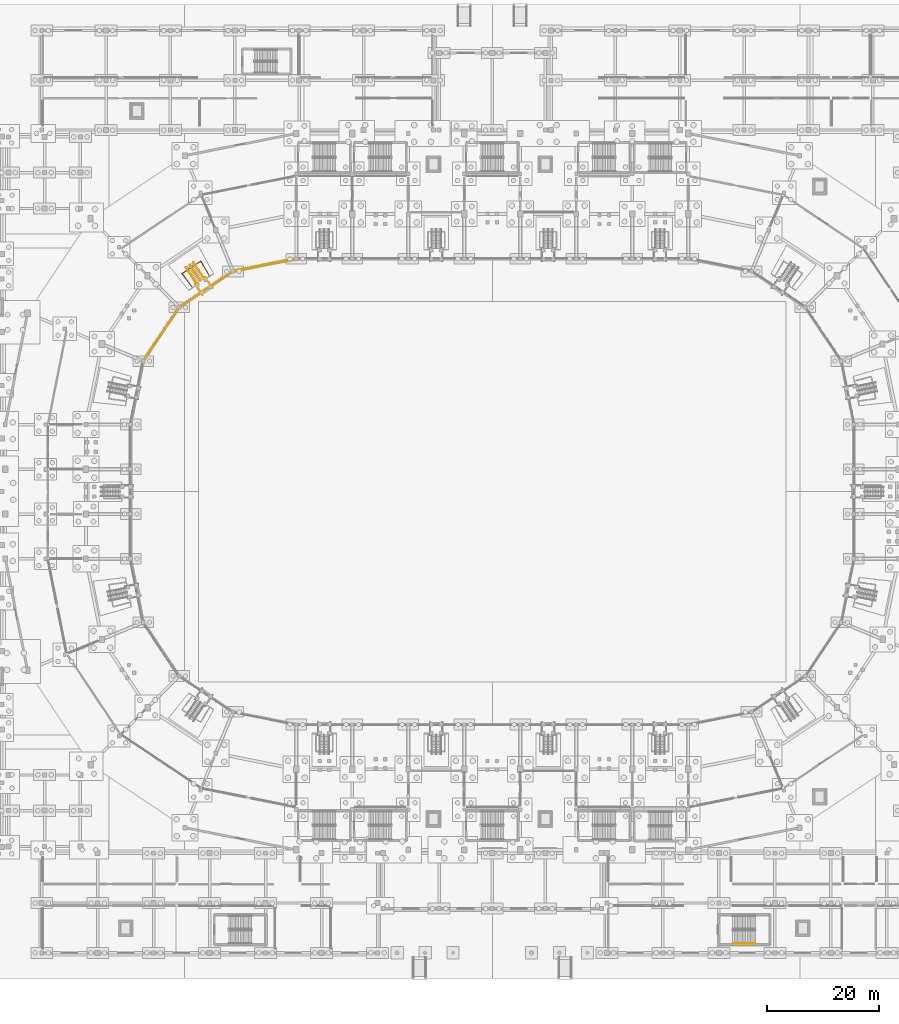
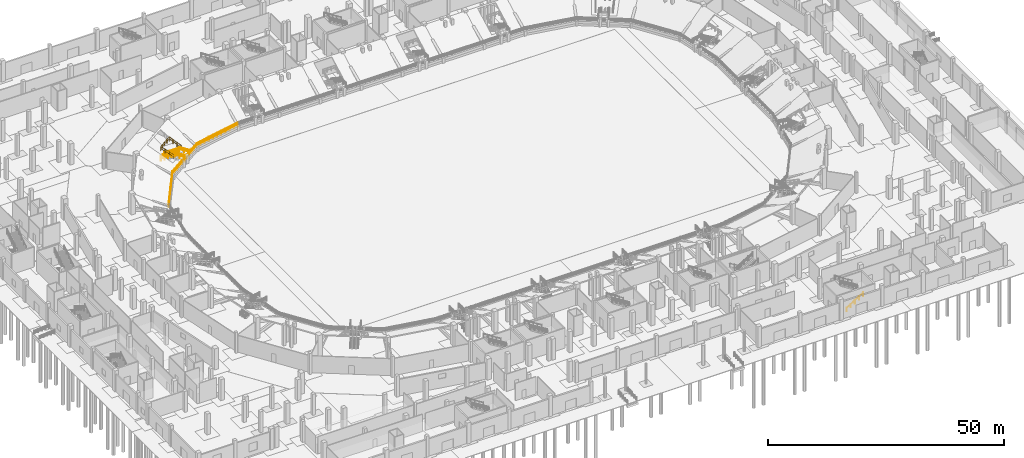
# One storey, part 55 of 68: 8 railings.
"""IFC4 building model written with IfcOpenShell, lengths in metres."""

from ifc_helpers import new_model, si_unit, direction, frame, origin, origin_2d, place, context, subcontext, project, spatial, circle, extrude, material, layer, layer_set, type_object, element, save


model = new_model("IFC4")

# Units and contexts
model_context = context("Model", 3, precision=1e-05, world=origin(), true_north=direction((0.0, 1.0)))
body_context = subcontext(model_context, "Body", "Model", "MODEL_VIEW")
ifc_project = project(units=[si_unit("LENGTHUNIT", "METRE"), si_unit("AREAUNIT", "SQUARE_METRE"), si_unit("VOLUMEUNIT", "CUBIC_METRE"), si_unit("PLANEANGLEUNIT", "RADIAN"), si_unit("MASSUNIT", "GRAM", prefix="KILO")], contexts=[model_context])

# Site, building, storey
site_placement = place(None, origin())
site = spatial("IfcSite", under=ifc_project, at=site_placement, CompositionType="ELEMENT")
building_placement = place(site_placement, origin())
building = spatial("IfcBuilding", under=site, at=building_placement, Name="Candeia Ridge Stadium", CompositionType="ELEMENT")
storey_placement = place(building_placement, origin())
storey = spatial("IfcBuildingStorey", under=building, at=storey_placement, Name="L00", CompositionType="ELEMENT", Elevation=0.0)

# Railings
ifc_material_1 = material(Name="Galvanized Powder-Coated Steel", Category="steel")
ifc_layer_1 = layer(ifc_material_1, 0.074951171875, Name="Galvanized Powder-Coated Steel", Category="steel")
ifc_layer_set_1 = layer_set([ifc_layer_1], Name="Galvanized Powder-Coated Steel")
railing_type_1 = type_object("IfcRailingType", Name="Spectator Bowl Front Guardrail 1120", PredefinedType="GUARDRAIL", material=ifc_layer_set_1)
railing_1_placement = place(storey_placement, frame((71.0, 124.719970703125, 0.85009765625)))
element("IfcRailing", 1, at=railing_1_placement, inside=storey, type_object=railing_type_1, Name="Stand T1 front safety guardrail bay 08", PredefinedType="GUARDRAIL", context=body_context, shape_type="SweptSolid", body=[
    extrude(circle(Radius=0.02392578125, at=origin_2d()), frame((0.0, 0.0, 1.09619140625), z_axis=(-0.980786620381, -0.19508358537, 0.0), x_axis=(0.19508358537, -0.980786620381, 0.0)), (0.0, 0.0, 1.0), 11.59619140625),
    extrude(circle(Radius=0.02392578125, at=origin_2d()), frame((0.0, 0.0, 0.56005859375), z_axis=(-0.980786620381, -0.19508358537, 0.0), x_axis=(0.19508358537, -0.980786620381, 0.0)), (0.0, 0.0, 1.0), 11.59619140625),
    extrude(circle(Radius=0.02099609375, at=origin_2d()), origin(), (0.0, 0.0, 1.0), 1.072021484375),
    extrude(circle(Radius=0.02099609375, at=origin_2d()), frame((-1.13720703125, -0.226318359375, 0.0)), (0.0, 0.0, 1.0), 1.072021484375),
    extrude(circle(Radius=0.02099609375, at=origin_2d()), frame((-2.274658203125, -0.452392578125, 0.0)), (0.0, 0.0, 1.0), 1.072021484375),
    extrude(circle(Radius=0.02099609375, at=origin_2d()), frame((-3.412109375, -0.6787109375, 0.0)), (0.0, 0.0, 1.0), 1.072021484375),
    extrude(circle(Radius=0.02099609375, at=origin_2d()), frame((-4.54931640625, -0.90478515625, 0.0)), (0.0, 0.0, 1.0), 1.072021484375),
    extrude(circle(Radius=0.02099609375, at=origin_2d()), frame((-5.6865234375, -1.131103515625, 0.0)), (0.0, 0.0, 1.0), 1.072021484375),
    extrude(circle(Radius=0.02099609375, at=origin_2d()), frame((-6.823974609375, -1.357421875, 0.0)), (0.0, 0.0, 1.0), 1.072021484375),
    extrude(circle(Radius=0.02099609375, at=origin_2d()), frame((-7.961181640625, -1.58349609375, 0.0)), (0.0, 0.0, 1.0), 1.072021484375),
    extrude(circle(Radius=0.02099609375, at=origin_2d()), frame((-9.0986328125, -1.809814453125, 0.0)), (0.0, 0.0, 1.0), 1.072021484375),
    extrude(circle(Radius=0.02099609375, at=origin_2d()), frame((-10.23583984375, -2.035888671875, 0.0)), (0.0, 0.0, 1.0), 1.072021484375),
    extrude(circle(Radius=0.02099609375, at=origin_2d()), frame((-11.373291015625, -2.26220703125, 0.0)), (0.0, 0.0, 1.0), 1.072021484375),
])
railing_2_placement = place(storey_placement, frame((59.626708984375, 122.457763671875, 0.85009765625)))
element("IfcRailing", 2, at=railing_2_placement, inside=storey, type_object=railing_type_1, Name="Stand T1 front safety guardrail bay 09", PredefinedType="GUARDRAIL", context=body_context, shape_type="SweptSolid", body=[
    extrude(circle(Radius=0.02392578125, at=origin_2d()), frame((0.0, 0.0, 1.09619140625), z_axis=(-0.831463572254, -0.555579272484, 0.0), x_axis=(0.555579272484, -0.831463572254, 0.0)), (0.0, 0.0, 1.0), 11.59619140625),
    extrude(circle(Radius=0.02392578125, at=origin_2d()), frame((0.0, 0.0, 0.56005859375), z_axis=(-0.831463572254, -0.555579272484, 0.0), x_axis=(0.555579272484, -0.831463572254, 0.0)), (0.0, 0.0, 1.0), 11.59619140625),
    extrude(circle(Radius=0.02099609375, at=origin_2d()), origin(), (0.0, 0.0, 1.0), 1.072021484375),
    extrude(circle(Radius=0.02099609375, at=origin_2d()), frame((-0.964111328125, -0.644287109375, 0.0)), (0.0, 0.0, 1.0), 1.072021484375),
    extrude(circle(Radius=0.02099609375, at=origin_2d()), frame((-1.928466796875, -1.28857421875, 0.0)), (0.0, 0.0, 1.0), 1.072021484375),
    extrude(circle(Radius=0.02099609375, at=origin_2d()), frame((-2.892578125, -1.932861328125, 0.0)), (0.0, 0.0, 1.0), 1.072021484375),
    extrude(circle(Radius=0.02099609375, at=origin_2d()), frame((-3.856689453125, -2.5771484375, 0.0)), (0.0, 0.0, 1.0), 1.072021484375),
    extrude(circle(Radius=0.02099609375, at=origin_2d()), frame((-4.82080078125, -3.22119140625, 0.0)), (0.0, 0.0, 1.0), 1.072021484375),
    extrude(circle(Radius=0.02099609375, at=origin_2d()), frame((-5.78515625, -3.865478515625, 0.0)), (0.0, 0.0, 1.0), 1.072021484375),
    extrude(circle(Radius=0.02099609375, at=origin_2d()), frame((-6.749267578125, -4.509765625, 0.0)), (0.0, 0.0, 1.0), 1.072021484375),
    extrude(circle(Radius=0.02099609375, at=origin_2d()), frame((-7.71337890625, -5.154052734375, 0.0)), (0.0, 0.0, 1.0), 1.072021484375),
    extrude(circle(Radius=0.02099609375, at=origin_2d()), frame((-8.677734375, -5.79833984375, 0.0)), (0.0, 0.0, 1.0), 1.072021484375),
    extrude(circle(Radius=0.02099609375, at=origin_2d()), frame((-9.641845703125, -6.442626953125, 0.0)), (0.0, 0.0, 1.0), 1.072021484375),
])
railing_3_placement = place(storey_placement, frame((49.98486328125, 116.01513671875, 0.85009765625)))
element("IfcRailing", 3, at=railing_3_placement, inside=storey, type_object=railing_type_1, Name="Stand T1 front safety guardrail bay 10", PredefinedType="GUARDRAIL", context=body_context, shape_type="SweptSolid", body=[
    extrude(circle(Radius=0.02392578125, at=origin_2d()), frame((0.0, 0.0, 1.09619140625), z_axis=(-0.555579272484, -0.831463572254, 0.0), x_axis=(0.831463572254, -0.555579272484, 0.0)), (0.0, 0.0, 1.0), 11.59619140625),
    extrude(circle(Radius=0.02392578125, at=origin_2d()), frame((0.0, 0.0, 0.56005859375), z_axis=(-0.555579272484, -0.831463572254, 0.0), x_axis=(0.831463572254, -0.555579272484, 0.0)), (0.0, 0.0, 1.0), 11.59619140625),
    extrude(circle(Radius=0.02099609375, at=origin_2d()), origin(), (0.0, 0.0, 1.0), 1.072021484375),
    extrude(circle(Radius=0.02099609375, at=origin_2d()), frame((-0.644287109375, -0.964111328125, 0.0)), (0.0, 0.0, 1.0), 1.072021484375),
    extrude(circle(Radius=0.02099609375, at=origin_2d()), frame((-1.28857421875, -1.928466796875, 0.0)), (0.0, 0.0, 1.0), 1.072021484375),
    extrude(circle(Radius=0.02099609375, at=origin_2d()), frame((-1.932861328125, -2.892578125, 0.0)), (0.0, 0.0, 1.0), 1.072021484375),
    extrude(circle(Radius=0.02099609375, at=origin_2d()), frame((-2.5771484375, -3.856689453125, 0.0)), (0.0, 0.0, 1.0), 1.072021484375),
    extrude(circle(Radius=0.02099609375, at=origin_2d()), frame((-3.22119140625, -4.82080078125, 0.0)), (0.0, 0.0, 1.0), 1.072021484375),
    extrude(circle(Radius=0.02099609375, at=origin_2d()), frame((-3.865478515625, -5.78515625, 0.0)), (0.0, 0.0, 1.0), 1.072021484375),
    extrude(circle(Radius=0.02099609375, at=origin_2d()), frame((-4.509765625, -6.749267578125, 0.0)), (0.0, 0.0, 1.0), 1.072021484375),
    extrude(circle(Radius=0.02099609375, at=origin_2d()), frame((-5.154052734375, -7.71337890625, 0.0)), (0.0, 0.0, 1.0), 1.072021484375),
    extrude(circle(Radius=0.02099609375, at=origin_2d()), frame((-5.79833984375, -8.677734375, 0.0)), (0.0, 0.0, 1.0), 1.072021484375),
    extrude(circle(Radius=0.02099609375, at=origin_2d()), frame((-6.442626953125, -9.641845703125, 0.0)), (0.0, 0.0, 1.0), 1.072021484375),
])
ifc_material_2 = material(Name="Brushed Stainless Steel", Category="steel")
ifc_layer_2 = layer(ifc_material_2, 0.048095703125, Name="Brushed Stainless Steel", Category="steel")
ifc_layer_set_2 = layer_set([ifc_layer_2], Name="Brushed Stainless Steel")
railing_type_2 = type_object("IfcRailingType", Name="Stair Wall & Flight Handrail 900", PredefinedType="HANDRAIL", material=ifc_layer_set_2)
railing_4_placement = place(storey_placement, frame((148.949951171875, 2.25, 0.179931640625)))
element("IfcRailing", 4, at=railing_4_placement, inside=storey, type_object=railing_type_2, Name="L00 ST14 stair handrail 1", PredefinedType="HANDRAIL", context=body_context, shape_type="SweptSolid", body=[
    extrude(circle(Radius=0.02392578125, at=origin_2d()), frame((0.0, 0.0, 0.8759765625), z_axis=(0.849641744969, 0.0, 0.527360318194), x_axis=(0.0, 1.0, 0.0)), (0.0, 0.0, 1.0), 4.778564453125),
    extrude(circle(Radius=0.02099609375, at=origin_2d()), origin(), (0.0, 0.0, 1.0), 0.851806640625),
    extrude(circle(Radius=0.02099609375, at=origin_2d()), frame((1.01513671875, 0.0, 0.6298828125)), (0.0, 0.0, 1.0), 0.851806640625),
    extrude(circle(Radius=0.02099609375, at=origin_2d()), frame((2.030029296875, 0.0, 1.260009765625)), (0.0, 0.0, 1.0), 0.851806640625),
    extrude(circle(Radius=0.02099609375, at=origin_2d()), frame((3.044921875, 0.0, 1.89013671875)), (0.0, 0.0, 1.0), 0.851806640625),
    extrude(circle(Radius=0.02099609375, at=origin_2d()), frame((4.06005859375, 0.0, 2.52001953125)), (0.0, 0.0, 1.0), 0.851806640625),
])
railing_5_placement = place(storey_placement, frame((51.950927734375, 123.5087890625, 0.17236328125)))
element("IfcRailing", 5, at=railing_5_placement, inside=storey, type_object=railing_type_2, Name="Vomitory stair handrail VS05", PredefinedType="HANDRAIL", context=body_context, shape_type="SweptSolid", body=[
    extrude(circle(Radius=0.02392578125, at=origin_2d()), frame((0.0, 0.0, 0.8759765625), z_axis=(0.475465276115, -0.71151793279, 0.517373175307), x_axis=(0.831445756164, 0.555605934595, 0.0)), (0.0, 0.0, 1.0), 3.996337890625),
    extrude(circle(Radius=0.02099609375, at=origin_2d()), origin(), (0.0, 0.0, 1.0), 0.851806640625),
    extrude(circle(Radius=0.02099609375, at=origin_2d()), frame((0.47509765625, -0.7109375, 0.516845703125)), (0.0, 0.0, 1.0), 0.851806640625),
    extrude(circle(Radius=0.02099609375, at=origin_2d()), frame((0.9501953125, -1.421875, 1.03369140625)), (0.0, 0.0, 1.0), 0.851806640625),
    extrude(circle(Radius=0.02099609375, at=origin_2d()), frame((1.425048828125, -2.132568359375, 1.55078125)), (0.0, 0.0, 1.0), 0.851806640625),
    extrude(circle(Radius=0.02099609375, at=origin_2d()), frame((1.900146484375, -2.843505859375, 2.067626953125)), (0.0, 0.0, 1.0), 0.851806640625),
])
ifc_layer_3 = layer(ifc_material_1, 0.070068359375, Name="Galvanized Powder-Coated Steel", Category="steel")
ifc_layer_set_3 = layer_set([ifc_layer_3], Name="Galvanized Powder-Coated Steel")
railing_type_3 = type_object("IfcRailingType", Name="Vomitory Portal Guardrail 1100", PredefinedType="GUARDRAIL", material=ifc_layer_set_3)
railing_6_placement = place(storey_placement, frame((55.382568359375, 121.6884765625, 2.239990234375)))
element("IfcRailing", 6, at=railing_6_placement, inside=storey, type_object=railing_type_3, Name="Vomitory portal guardrail VS05", PredefinedType="GUARDRAIL", context=body_context, shape_type="SweptSolid", body=[
    extrude(circle(Radius=0.02392578125, at=origin_2d()), frame((0.0, 0.0, 1.076171875), z_axis=(-0.466142280989, 0.796635920117, 0.384815000558), x_axis=(-0.863100039607, -0.505032990636, 0.0)), (0.0, 0.0, 1.0), 3.155029296875),
    extrude(circle(Radius=0.02392578125, at=origin_2d()), frame((0.0, 0.0, 0.550048828125), z_axis=(-0.466142280989, 0.796635920117, 0.384815000558), x_axis=(-0.863100039607, -0.505032990636, 0.0)), (0.0, 0.0, 1.0), 3.155029296875),
    extrude(circle(Radius=0.02392578125, at=origin_2d()), frame((-1.470703125, 2.513427734375, 2.2900390625), z_axis=(-0.831490773536, -0.55553856169, 0.0), x_axis=(0.55553856169, -0.831490773536, 0.0)), (0.0, 0.0, 1.0), 4.03076171875),
    extrude(circle(Radius=0.02392578125, at=origin_2d()), frame((-1.470703125, 2.513427734375, 1.76416015625), z_axis=(-0.831490773536, -0.55553856169, 0.0), x_axis=(0.55553856169, -0.831490773536, 0.0)), (0.0, 0.0, 1.0), 4.03076171875),
    extrude(circle(Radius=0.02392578125, at=origin_2d()), frame((-4.822265625, 0.274169921875, 2.2900390625), z_axis=(0.557581629409, -0.735549676542, -0.384797868866), x_axis=(0.796911143855, 0.604096539304, 0.0)), (0.0, 0.0, 1.0), 3.1552734375),
    extrude(circle(Radius=0.02392578125, at=origin_2d()), frame((-4.822265625, 0.274169921875, 1.76416015625), z_axis=(0.557581629409, -0.735549676542, -0.384797868866), x_axis=(0.796911143855, 0.604096539304, 0.0)), (0.0, 0.0, 1.0), 3.1552734375),
    extrude(circle(Radius=0.02099609375, at=origin_2d()), origin(), (0.0, 0.0, 1.0), 1.052001953125),
    extrude(circle(Radius=0.02099609375, at=origin_2d()), frame((-0.490234375, 0.837890625, 0.40478515625)), (0.0, 0.0, 1.0), 1.052001953125),
    extrude(circle(Radius=0.02099609375, at=origin_2d()), frame((-0.98046875, 1.675537109375, 0.809326171875)), (0.0, 0.0, 1.0), 1.052001953125),
    extrude(circle(Radius=0.02099609375, at=origin_2d()), frame((-1.470703125, 2.513427734375, 1.214111328125)), (0.0, 0.0, 1.0), 1.052001953125),
    extrude(circle(Radius=0.02099609375, at=origin_2d()), frame((-2.30859375, 1.95361328125, 1.214111328125)), (0.0, 0.0, 1.0), 1.052001953125),
    extrude(circle(Radius=0.02099609375, at=origin_2d()), frame((-3.146484375, 1.393798828125, 1.214111328125)), (0.0, 0.0, 1.0), 1.052001953125),
    extrude(circle(Radius=0.02099609375, at=origin_2d()), frame((-3.984375, 0.833984375, 1.214111328125)), (0.0, 0.0, 1.0), 1.052001953125),
    extrude(circle(Radius=0.02099609375, at=origin_2d()), frame((-4.822265625, 0.274169921875, 1.214111328125)), (0.0, 0.0, 1.0), 1.052001953125),
    extrude(circle(Radius=0.02099609375, at=origin_2d()), frame((-4.23583984375, -0.49951171875, 0.809326171875)), (0.0, 0.0, 1.0), 1.052001953125),
    extrude(circle(Radius=0.02099609375, at=origin_2d()), frame((-3.6494140625, -1.27294921875, 0.40478515625)), (0.0, 0.0, 1.0), 1.052001953125),
    extrude(circle(Radius=0.02099609375, at=origin_2d()), frame((-3.06298828125, -2.046630859375, 0.0)), (0.0, 0.0, 1.0), 1.052001953125),
])
railing_7_placement = place(storey_placement, frame((52.6328125, 123.96435546875, 0.0)))
element("IfcRailing", 7, at=railing_7_placement, inside=storey, type_object=railing_type_3, Name="Vomitory stair & landing side guardrail VS05-L", PredefinedType="GUARDRAIL", context=body_context, shape_type="SweptSolid", body=[
    extrude(circle(Radius=0.02392578125, at=origin_2d()), frame((0.0, 0.0, 1.076171875), z_axis=(0.464784440041, -0.695534417725, 0.547911761194), x_axis=(0.831445756164, 0.555605934595, 0.0)), (0.0, 0.0, 1.0), 4.088134765625),
    extrude(circle(Radius=0.02392578125, at=origin_2d()), frame((0.0, 0.0, 0.550048828125), z_axis=(0.464784440041, -0.695534417725, 0.547911761194), x_axis=(0.831445756164, 0.555605934595, 0.0)), (0.0, 0.0, 1.0), 4.088134765625),
    extrude(circle(Radius=0.02392578125, at=origin_2d()), frame((1.900146484375, -2.843505859375, 3.31591796875), z_axis=(0.744495422298, 0.667627565471, 0.0), x_axis=(-0.667627565471, 0.744495422298, 0.0)), (0.0, 0.0, 1.0), 0.28271484375),
    extrude(circle(Radius=0.02392578125, at=origin_2d()), frame((1.900146484375, -2.843505859375, 2.7900390625), z_axis=(0.744495422298, 0.667627565471, 0.0), x_axis=(-0.667627565471, 0.744495422298, 0.0)), (0.0, 0.0, 1.0), 0.28271484375),
    extrude(circle(Radius=0.02392578125, at=origin_2d()), frame((2.110595703125, -2.65478515625, 3.31591796875), z_axis=(0.55562265494, -0.831434582705, 0.0), x_axis=(0.831434582705, 0.55562265494, 0.0)), (0.0, 0.0, 1.0), 2.320068359375),
    extrude(circle(Radius=0.02392578125, at=origin_2d()), frame((2.110595703125, -2.65478515625, 2.7900390625), z_axis=(0.55562265494, -0.831434582705, 0.0), x_axis=(0.831434582705, 0.55562265494, 0.0)), (0.0, 0.0, 1.0), 2.320068359375),
    extrude(circle(Radius=0.02099609375, at=origin_2d()), origin(), (0.0, 0.0, 1.0), 1.052001953125),
    extrude(circle(Radius=0.02099609375, at=origin_2d()), frame((0.47509765625, -0.7109375, 0.56005859375)), (0.0, 0.0, 1.0), 1.052001953125),
    extrude(circle(Radius=0.02099609375, at=origin_2d()), frame((0.9501953125, -1.421875, 1.1201171875)), (0.0, 0.0, 1.0), 1.052001953125),
    extrude(circle(Radius=0.02099609375, at=origin_2d()), frame((1.425048828125, -2.132568359375, 1.679931640625)), (0.0, 0.0, 1.0), 1.052001953125),
    extrude(circle(Radius=0.02099609375, at=origin_2d()), frame((1.900146484375, -2.843505859375, 2.239990234375)), (0.0, 0.0, 1.0), 1.052001953125),
    extrude(circle(Radius=0.02099609375, at=origin_2d()), frame((2.110595703125, -2.65478515625, 2.239990234375)), (0.0, 0.0, 1.0), 1.052001953125),
    extrude(circle(Radius=0.02099609375, at=origin_2d()), frame((2.755126953125, -3.619140625, 2.239990234375)), (0.0, 0.0, 1.0), 1.052001953125),
    extrude(circle(Radius=0.02099609375, at=origin_2d()), frame((3.399658203125, -4.583740234375, 2.239990234375)), (0.0, 0.0, 1.0), 1.052001953125),
])
railing_8_placement = place(storey_placement, frame((51.269287109375, 123.05322265625, 0.0)))
element("IfcRailing", 8, at=railing_8_placement, inside=storey, type_object=railing_type_3, Name="Vomitory stair & landing side guardrail VS05-R", PredefinedType="GUARDRAIL", context=body_context, shape_type="SweptSolid", body=[
    extrude(circle(Radius=0.02392578125, at=origin_2d()), frame((0.0, 0.0, 1.076171875), z_axis=(0.464737620723, -0.695553722509, 0.547926968663), x_axis=(0.831478733729, 0.555556581598, 0.0)), (0.0, 0.0, 1.0), 4.088134765625),
    extrude(circle(Radius=0.02392578125, at=origin_2d()), frame((0.0, 0.0, 0.550048828125), z_axis=(0.464737620723, -0.695553722509, 0.547926968663), x_axis=(0.831478733729, 0.555556581598, 0.0)), (0.0, 0.0, 1.0), 4.088134765625),
    extrude(circle(Radius=0.02392578125, at=origin_2d()), frame((1.89990234375, -2.843505859375, 3.31591796875), z_axis=(-0.901563480577, -0.432646842691, 0.0), x_axis=(0.432646842691, -0.901563480577, 0.0)), (0.0, 0.0, 1.0), 0.28271484375),
    extrude(circle(Radius=0.02392578125, at=origin_2d()), frame((1.89990234375, -2.843505859375, 2.7900390625), z_axis=(-0.901563480577, -0.432646842691, 0.0), x_axis=(0.432646842691, -0.901563480577, 0.0)), (0.0, 0.0, 1.0), 0.28271484375),
    extrude(circle(Radius=0.02392578125, at=origin_2d()), frame((1.64501953125, -2.9658203125, 3.31591796875), z_axis=(0.555501294523, -0.8315156714, 0.0), x_axis=(0.8315156714, 0.555501294523, 0.0)), (0.0, 0.0, 1.0), 2.320068359375),
    extrude(circle(Radius=0.02392578125, at=origin_2d()), frame((1.64501953125, -2.9658203125, 2.7900390625), z_axis=(0.555501294523, -0.8315156714, 0.0), x_axis=(0.8315156714, 0.555501294523, 0.0)), (0.0, 0.0, 1.0), 2.320068359375),
    extrude(circle(Radius=0.02099609375, at=origin_2d()), origin(), (0.0, 0.0, 1.0), 1.052001953125),
    extrude(circle(Radius=0.02099609375, at=origin_2d()), frame((0.47509765625, -0.7109375, 0.56005859375)), (0.0, 0.0, 1.0), 1.052001953125),
    extrude(circle(Radius=0.02099609375, at=origin_2d()), frame((0.949951171875, -1.421875, 1.1201171875)), (0.0, 0.0, 1.0), 1.052001953125),
    extrude(circle(Radius=0.02099609375, at=origin_2d()), frame((1.4248046875, -2.132568359375, 1.679931640625)), (0.0, 0.0, 1.0), 1.052001953125),
    extrude(circle(Radius=0.02099609375, at=origin_2d()), frame((1.89990234375, -2.843505859375, 2.239990234375)), (0.0, 0.0, 1.0), 1.052001953125),
    extrude(circle(Radius=0.02099609375, at=origin_2d()), frame((1.64501953125, -2.9658203125, 2.239990234375)), (0.0, 0.0, 1.0), 1.052001953125),
    extrude(circle(Radius=0.02099609375, at=origin_2d()), frame((2.28955078125, -3.930419921875, 2.239990234375)), (0.0, 0.0, 1.0), 1.052001953125),
    extrude(circle(Radius=0.02099609375, at=origin_2d()), frame((2.933837890625, -4.89501953125, 2.239990234375)), (0.0, 0.0, 1.0), 1.052001953125),
])

save(model, "model.ifc")
